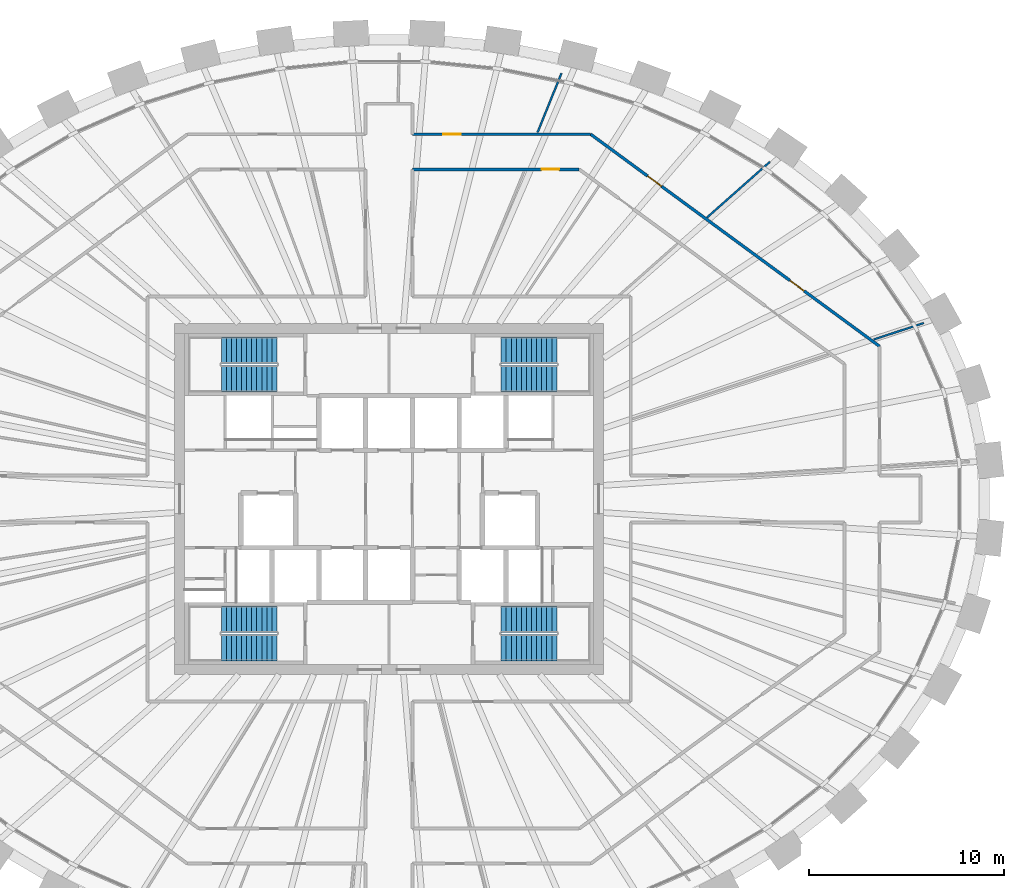
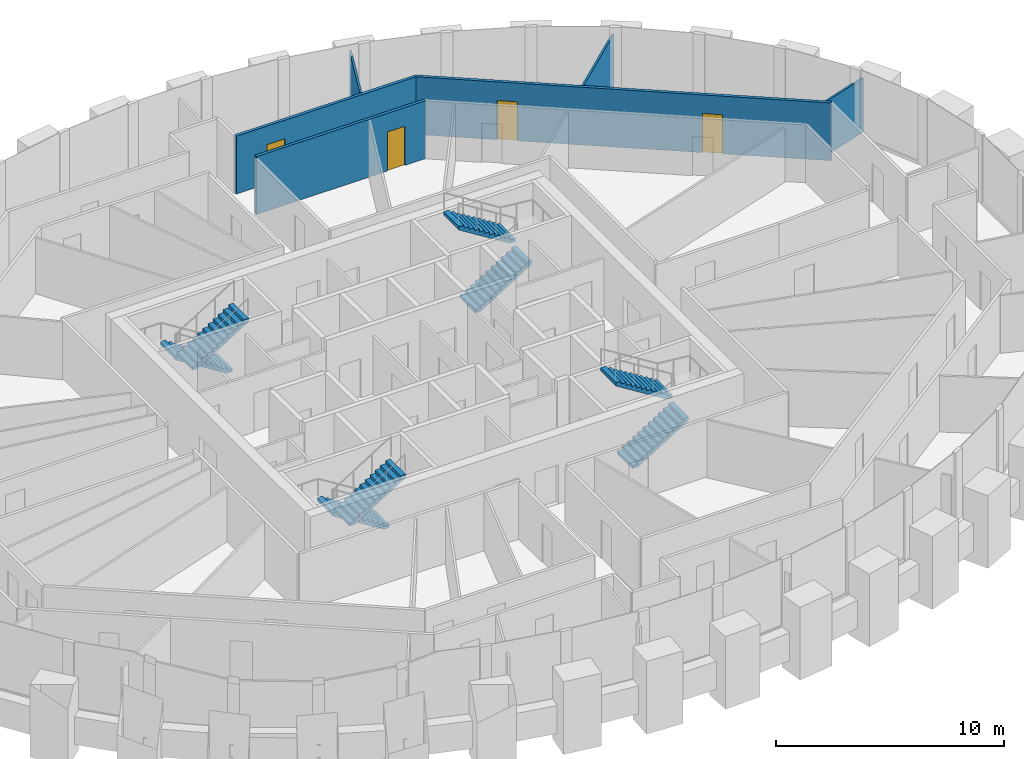
# One storey, part 11 of 12: 8 stair flights, 6 walls, 4 doors, 4 openings, 4 elements without a shape of their own.
"""IFC4 building model written with IfcOpenShell, lengths in metres."""

from ifc_helpers import new_model, si_unit, direction, frame, frame_2d, origin, place, context, subcontext, project, spatial, polyline, rectangle, outline, extrude, source, transform, mapped, material, layer, layer_set, type_object, element, fill, aggregate, save


model = new_model("IFC4")

# Units and contexts
model_context = context("Model", 3, precision=1e-05, world=origin(), true_north=direction((0.0, 1.0)))
body_context = subcontext(model_context, "Body", "Model", "MODEL_VIEW")
ifc_project = project(units=[si_unit("LENGTHUNIT", "METRE"), si_unit("AREAUNIT", "SQUARE_METRE"), si_unit("VOLUMEUNIT", "CUBIC_METRE"), si_unit("PLANEANGLEUNIT", "RADIAN"), si_unit("MASSUNIT", "GRAM", prefix="KILO")], contexts=[model_context])

# Site, building, storey
site_placement = place(None, origin())
site = spatial("IfcSite", under=ifc_project, at=site_placement, CompositionType="ELEMENT")
building_placement = place(site_placement, origin())
building = spatial("IfcBuilding", under=site, at=building_placement, Name="Embergate Tower", CompositionType="ELEMENT")
storey_placement = place(building_placement, frame((0.0, 0.0, 301.300048828125)))
storey = spatial("IfcBuildingStorey", under=building, at=storey_placement, Name="L70", CompositionType="ELEMENT", Elevation=301.300048828125)

# Walls
ifc_material_1 = material(Name="Partition dry-lined 100")
ifc_layer_1 = layer(ifc_material_1, 0.10009765625)
ifc_layer_set_1 = layer_set([ifc_layer_1], Name="Partition dry-lined 100")
wall_type_1 = type_object("IfcWallType", Name="Partition dry-lined 100", PredefinedType="PARTITIONING", material=ifc_layer_set_1)
shared_shape_1 = source(origin(), body_context, "Body", "SweptSolid", [
    extrude(rectangle(XDim=2.70654296875, YDim=0.10009765625, at=frame_2d((1.353271484375, 0.0))), origin(), (0.0, 0.0, 1.0), 2.89990234375),
])
wall_1_placement = place(storey_placement, frame((24.865966796875, 8.18310546875, 0.0), z_axis=(0.0, 0.0, 1.0), x_axis=(0.949902888469, 0.312545200697, 0.0)))
element("IfcWall", 1, at=wall_1_placement, inside=storey, type_object=wall_type_1, Name="IP-1 wall", PredefinedType="PARTITIONING", context=body_context, shape_type="MappedRepresentation", body=[
    mapped(shared_shape_1, transform((0.0, 0.0, 0.0))),
])
ifc_material_2 = material(Name="Partition dry-lined 100 wet")
ifc_layer_2 = layer(ifc_material_2, 0.10009765625)
ifc_layer_set_2 = layer_set([ifc_layer_2], Name="Partition dry-lined 100 wet")
wall_type_2 = type_object("IfcWallType", Name="Partition dry-lined 100 wet", PredefinedType="PLUMBINGWALL", material=ifc_layer_set_2)
shared_shape_2 = source(origin(), body_context, "Body", "SweptSolid", [
    extrude(rectangle(XDim=4.307861328125, YDim=0.10009765625, at=frame_2d((2.15380859375, 0.0))), origin(), (0.0, 0.0, 1.0), 3.0),
])
wall_2_placement = place(storey_placement, frame((16.31103515625, 14.44091796875, 0.0), z_axis=(0.0, 0.0, 1.0), x_axis=(0.748864579338, 0.662723050612, 0.0)))
element("IfcWall", 2, at=wall_2_placement, inside=storey, type_object=wall_type_2, Name="IP-1 wall", PredefinedType="PLUMBINGWALL", context=body_context, shape_type="MappedRepresentation", body=[
    mapped(shared_shape_2, transform((0.0, 0.0, 0.0))),
])

# Wall, openings, doors
ifc_material_3 = material(Name="Corridor wall dry-lined 150")
ifc_layer_3 = layer(ifc_material_3, 0.14990234375)
ifc_layer_set_3 = layer_set([ifc_layer_3], Name="Corridor wall dry-lined 150")
wall_type_3 = type_object("IfcWallType", Name="Corridor wall dry-lined 150", PredefinedType="PARTITIONING", material=ifc_layer_set_3)
shared_shape_3 = source(origin(), body_context, "Body", "SweptSolid", [
    extrude(rectangle(XDim=18.38427734375, YDim=0.14990234375, at=frame_2d((9.192138671875, 0.0))), origin(), (0.0, 0.0, 1.0), 3.099853515625),
])
wall_3_placement = place(storey_placement, frame((25.166015625, 7.833984375, 0.0), z_axis=(0.0, 0.0, 1.0), x_axis=(-0.80612330372, 0.591747597545, 0.0)))
wall_3 = element("IfcWall", 3, at=wall_3_placement, inside=storey, type_object=wall_type_3, Name="IP-2 wall", PredefinedType="PARTITIONING", context=body_context, shape_type="MappedRepresentation", body=[
    mapped(shared_shape_3, transform((0.0, 0.0, 0.0))),
])
shared_shape_4 = source(origin(), body_context, "Body", "SweptSolid", [
    extrude(rectangle(XDim=0.89990234375, YDim=2.10009765625, at=frame_2d((0.449951171875, 1.050048828125))), frame((0.0, 0.0849609375, 0.0), z_axis=(0.0, -1.0, 0.0), x_axis=(1.0, 0.0, 0.0)), (0.0, 0.0, 1.0), 0.169921875),
])
opening_1_placement = place(wall_3_placement, frame((4.800537109375, 0.0, 0.0)))
opening_1 = element("IfcOpeningElement", 4, at=opening_1_placement, cuts=wall_3, Name="Opening IF-1c", PredefinedType="OPENING", context=body_context, shape_type="MappedRepresentation", body=[
    mapped(shared_shape_4, transform((0.0, 0.0, 0.0))),
])
opening_2_placement = place(wall_3_placement, frame((13.86767578125, 0.0, 0.0)))
opening_2 = element("IfcOpeningElement", 5, at=opening_2_placement, cuts=wall_3, Name="Opening IF-1c", PredefinedType="OPENING", context=body_context, shape_type="MappedRepresentation", body=[
    mapped(shared_shape_4, transform((0.0, 0.0, 0.0))),
])
ifc_material_4 = material(Name="Escape fire door 900")
door_type = type_object("IfcDoorType", Name="Escape fire door 900", OperationType="SINGLE_SWING_LEFT", PredefinedType="DOOR", material=ifc_material_4)
shared_shape_5 = source(origin(), body_context, "Body", "SweptSolid", [
    extrude(rectangle(XDim=0.89990234375, YDim=2.10009765625, at=frame_2d((0.449951171875, 1.050048828125))), frame((0.0, 0.02490234375, 0.0), z_axis=(0.0, -1.0, 0.0), x_axis=(1.0, 0.0, 0.0)), (0.0, 0.0, 1.0), 0.050048828125),
])
door_1_placement = place(opening_1_placement, origin())
door_1 = element("IfcDoor", 6, at=door_1_placement, inside=storey, type_object=door_type, Name="IF-1 door", OperationType="SINGLE_SWING_RIGHT", OverallHeight=2.10009765625, OverallWidth=0.89990234375, PredefinedType="DOOR", context=body_context, shape_type="MappedRepresentation", body=[
    mapped(shared_shape_5, transform((0.0, 0.0, 0.0))),
])
fill(opening_1, door_1)
door_2_placement = place(opening_2_placement, origin())
door_2 = element("IfcDoor", 7, at=door_2_placement, inside=storey, type_object=door_type, Name="IF-1 door", OperationType="SINGLE_SWING_LEFT", OverallHeight=2.10009765625, OverallWidth=0.89990234375, PredefinedType="DOOR", context=body_context, shape_type="MappedRepresentation", body=[
    mapped(shared_shape_5, transform((0.0, 0.0, 0.0))),
])
fill(opening_2, door_2)

# Wall, opening, door
ifc_material_5 = material(Name="Corridor wall dry-lined 150 wet")
ifc_layer_4 = layer(ifc_material_5, 0.14990234375)
ifc_layer_set_4 = layer_set([ifc_layer_4], Name="Corridor wall dry-lined 150 wet")
wall_type_4 = type_object("IfcWallType", Name="Corridor wall dry-lined 150 wet", PredefinedType="PLUMBINGWALL", material=ifc_layer_set_4)
shared_shape_6 = source(origin(), body_context, "Body", "SweptSolid", [
    extrude(rectangle(XDim=9.14599609375, YDim=0.14990234375, at=frame_2d((4.572998046875, 0.0))), origin(), (0.0, 0.0, 1.0), 3.099853515625),
])
wall_4_placement = place(storey_placement, frame((1.199951171875, 18.712890625, 0.0), z_axis=(0.0, 0.0, 1.0), x_axis=(1.0, 0.0, 0.0)))
wall_4 = element("IfcWall", 8, at=wall_4_placement, inside=storey, type_object=wall_type_4, Name="IP-2 wall", PredefinedType="PLUMBINGWALL", context=body_context, shape_type="MappedRepresentation", body=[
    mapped(shared_shape_6, transform((0.0, 0.0, 0.0))),
])
opening_3_placement = place(wall_4_placement, frame((1.569091796875, 0.0, 0.0)))
opening_3 = element("IfcOpeningElement", 9, at=opening_3_placement, cuts=wall_4, Name="Opening IF-1c", PredefinedType="OPENING", context=body_context, shape_type="MappedRepresentation", body=[
    mapped(shared_shape_4, transform((0.0, 0.0, 0.0))),
])
door_3_placement = place(opening_3_placement, origin())
door_3 = element("IfcDoor", 10, at=door_3_placement, inside=storey, type_object=door_type, Name="IF-1 door", OperationType="SINGLE_SWING_LEFT", OverallHeight=2.10009765625, OverallWidth=0.89990234375, PredefinedType="DOOR", context=body_context, shape_type="MappedRepresentation", body=[
    mapped(shared_shape_5, transform((0.0, 0.0, 0.0))),
])
fill(opening_3, door_3)

shared_shape_7 = source(origin(), body_context, "Body", "SweptSolid", [
    extrude(rectangle(XDim=8.55615234375, YDim=0.14990234375, at=frame_2d((4.278076171875, 0.0))), origin(), (0.0, 0.0, 1.0), 3.099853515625),
])
wall_5_placement = place(storey_placement, frame((1.199951171875, 16.9130859375, 0.0), z_axis=(0.0, 0.0, 1.0), x_axis=(1.0, 0.0, 0.0)))
wall_5 = element("IfcWall", 11, at=wall_5_placement, inside=storey, type_object=wall_type_4, Name="IP-2 wall", PredefinedType="PLUMBINGWALL", context=body_context, shape_type="MappedRepresentation", body=[
    mapped(shared_shape_7, transform((0.0, 0.0, 0.0))),
])
opening_4_placement = place(wall_5_placement, frame((6.632080078125, 0.0, 0.0)))
opening_4 = element("IfcOpeningElement", 12, at=opening_4_placement, cuts=wall_5, Name="Opening IF-1c", PredefinedType="OPENING", context=body_context, shape_type="MappedRepresentation", body=[
    mapped(shared_shape_4, transform((0.0, 0.0, 0.0))),
])
door_4_placement = place(opening_4_placement, origin())
door_4 = element("IfcDoor", 13, at=door_4_placement, inside=storey, type_object=door_type, Name="IF-1 door", OperationType="SINGLE_SWING_RIGHT", OverallHeight=2.10009765625, OverallWidth=0.89990234375, PredefinedType="DOOR", context=body_context, shape_type="MappedRepresentation", body=[
    mapped(shared_shape_5, transform((0.0, 0.0, 0.0))),
])
fill(opening_4, door_4)

# Wall
shared_shape_8 = source(origin(), body_context, "Body", "SweptSolid", [
    extrude(rectangle(XDim=3.27978515625, YDim=0.10009765625, at=frame_2d((1.639892578125, 0.0))), origin(), (0.0, 0.0, 1.0), 3.099853515625),
])
wall_6_placement = place(storey_placement, frame((7.616943359375, 18.806884765625, 0.0), z_axis=(0.0, 0.0, 1.0), x_axis=(0.375314581317, 0.92689749436, 0.0)))
element("IfcWall", 14, at=wall_6_placement, inside=storey, type_object=wall_type_2, Name="IP-1 wall", PredefinedType="PLUMBINGWALL", context=body_context, shape_type="MappedRepresentation", body=[
    mapped(shared_shape_8, transform((0.0, 0.0, 0.0))),
])

# Stair, stair flights
ifc_material_6 = material(Name="Exit stair")
stair_type = type_object("IfcStairType", Name="Exit stair", PredefinedType="HALF_TURN_STAIR", material=ifc_material_6)
stair_1_placement = place(storey_placement, origin())
stair_1 = element("IfcStair", 15, at=stair_1_placement, inside=storey, type_object=stair_type, Name="L70 Exit stair 1", PredefinedType="HALF_TURN_STAIR")
ifc_material_7 = material(Name="Concrete C40", Category="concrete")
stair_flight_type = type_object("IfcStairFlightType", Name="Stair flight reinforced concrete", PredefinedType="STRAIGHT", material=ifc_material_7)
shared_shape_9 = source(origin(), body_context, "Body", "SweptSolid", [
    extrude(outline(polyline([(0.0, 0.0), (0.0, 0.16259765625), (0.260009765625, 0.16259765625), (0.260009765625, 0.324951171875), (0.52001953125, 0.324951171875), (0.52001953125, 0.487548828125), (0.780029296875, 0.487548828125), (0.780029296875, 0.64990234375), (1.0400390625, 0.64990234375), (1.0400390625, 0.8125), (1.300048828125, 0.8125), (1.300048828125, 0.97509765625), (1.56005859375, 0.97509765625), (1.56005859375, 1.137451171875), (1.820068359375, 1.137451171875), (1.820068359375, 1.300048828125), (2.080078125, 1.300048828125), (2.080078125, 1.46240234375), (2.340087890625, 1.46240234375), (2.340087890625, 1.625), (2.60009765625, 1.625), (2.60009765625, 1.78759765625), (2.860107421875, 1.78759765625), (2.860107421875, 1.949951171875), (2.860107421875, 1.61083984375), (0.28271484375, 0.0), (0.0, 0.0)])), frame((0.0, 0.675048828125, 0.0), z_axis=(0.0, -1.0, 0.0), x_axis=(1.0, 0.0, 0.0)), (0.0, 0.0, 1.0), 1.35009765625),
])
stair_flight_1_placement = place(storey_placement, frame((-5.75, 7.625, 0.0), z_axis=(0.0, 0.0, 1.0), x_axis=(-1.0, 0.0, 0.0)))
stair_flight_1 = element("IfcStairFlight", 16, at=stair_flight_1_placement, type_object=stair_flight_type, Name="ST1 flight 1", NumberOfRisers=12, NumberOfTreads=11, PredefinedType="STRAIGHT", RiserHeight=0.1625, TreadLength=0.26, context=body_context, shape_type="MappedRepresentation", body=[
    mapped(shared_shape_9, transform((0.0, 0.0, 0.0))),
])
stair_flight_2_placement = place(storey_placement, frame((-8.610107421875, 6.175048828125, 1.949951171875), z_axis=(0.0, 0.0, 1.0), x_axis=(1.0, 0.0, 0.0)))
stair_flight_2 = element("IfcStairFlight", 17, at=stair_flight_2_placement, type_object=stair_flight_type, Name="ST1 flight 2", NumberOfRisers=12, NumberOfTreads=11, PredefinedType="STRAIGHT", RiserHeight=0.1625, TreadLength=0.26, context=body_context, shape_type="MappedRepresentation", body=[
    mapped(shared_shape_9, transform((0.0, 0.0, 0.0))),
])
aggregate(stair_1, [stair_flight_1, stair_flight_2])

stair_2_placement = place(storey_placement, origin())
stair_2 = element("IfcStair", 18, at=stair_2_placement, inside=storey, type_object=stair_type, Name="L70 Exit stair 2", PredefinedType="HALF_TURN_STAIR")
stair_flight_3_placement = place(storey_placement, frame((5.75, 6.175048828125, 0.0), z_axis=(0.0, 0.0, 1.0), x_axis=(1.0, 0.0, 0.0)))
stair_flight_3 = element("IfcStairFlight", 19, at=stair_flight_3_placement, type_object=stair_flight_type, Name="ST2 flight 1", NumberOfRisers=12, NumberOfTreads=11, PredefinedType="STRAIGHT", RiserHeight=0.1625, TreadLength=0.26, context=body_context, shape_type="MappedRepresentation", body=[
    mapped(shared_shape_9, transform((0.0, 0.0, 0.0))),
])
stair_flight_4_placement = place(storey_placement, frame((8.610107421875, 7.625, 1.949951171875), z_axis=(0.0, 0.0, 1.0), x_axis=(-1.0, 0.0, 0.0)))
stair_flight_4 = element("IfcStairFlight", 20, at=stair_flight_4_placement, type_object=stair_flight_type, Name="ST2 flight 2", NumberOfRisers=12, NumberOfTreads=11, PredefinedType="STRAIGHT", RiserHeight=0.1625, TreadLength=0.26, context=body_context, shape_type="MappedRepresentation", body=[
    mapped(shared_shape_9, transform((0.0, 0.0, 0.0))),
])
aggregate(stair_2, [stair_flight_3, stair_flight_4])

stair_3_placement = place(storey_placement, origin())
stair_3 = element("IfcStair", 21, at=stair_3_placement, inside=storey, type_object=stair_type, Name="L70 Exit stair 3", PredefinedType="HALF_TURN_STAIR")
stair_flight_5_placement = place(storey_placement, frame((-5.75, -6.175048828125, 0.0), z_axis=(0.0, 0.0, 1.0), x_axis=(-1.0, 0.0, 0.0)))
stair_flight_5 = element("IfcStairFlight", 22, at=stair_flight_5_placement, type_object=stair_flight_type, Name="ST3 flight 1", NumberOfRisers=12, NumberOfTreads=11, PredefinedType="STRAIGHT", RiserHeight=0.1625, TreadLength=0.26, context=body_context, shape_type="MappedRepresentation", body=[
    mapped(shared_shape_9, transform((0.0, 0.0, 0.0))),
])
stair_flight_6_placement = place(storey_placement, frame((-8.610107421875, -7.625, 1.949951171875), z_axis=(0.0, 0.0, 1.0), x_axis=(1.0, 0.0, 0.0)))
stair_flight_6 = element("IfcStairFlight", 23, at=stair_flight_6_placement, type_object=stair_flight_type, Name="ST3 flight 2", NumberOfRisers=12, NumberOfTreads=11, PredefinedType="STRAIGHT", RiserHeight=0.1625, TreadLength=0.26, context=body_context, shape_type="MappedRepresentation", body=[
    mapped(shared_shape_9, transform((0.0, 0.0, 0.0))),
])
aggregate(stair_3, [stair_flight_5, stair_flight_6])

stair_4_placement = place(storey_placement, origin())
stair_4 = element("IfcStair", 24, at=stair_4_placement, inside=storey, type_object=stair_type, Name="L70 Exit stair 4", PredefinedType="HALF_TURN_STAIR")
stair_flight_7_placement = place(storey_placement, frame((5.75, -7.625, 0.0), z_axis=(0.0, 0.0, 1.0), x_axis=(1.0, 0.0, 0.0)))
stair_flight_7 = element("IfcStairFlight", 25, at=stair_flight_7_placement, type_object=stair_flight_type, Name="ST4 flight 1", NumberOfRisers=12, NumberOfTreads=11, PredefinedType="STRAIGHT", RiserHeight=0.1625, TreadLength=0.26, context=body_context, shape_type="MappedRepresentation", body=[
    mapped(shared_shape_9, transform((0.0, 0.0, 0.0))),
])
stair_flight_8_placement = place(storey_placement, frame((8.610107421875, -6.175048828125, 1.949951171875), z_axis=(0.0, 0.0, 1.0), x_axis=(-1.0, 0.0, 0.0)))
stair_flight_8 = element("IfcStairFlight", 26, at=stair_flight_8_placement, type_object=stair_flight_type, Name="ST4 flight 2", NumberOfRisers=12, NumberOfTreads=11, PredefinedType="STRAIGHT", RiserHeight=0.1625, TreadLength=0.26, context=body_context, shape_type="MappedRepresentation", body=[
    mapped(shared_shape_9, transform((0.0, 0.0, 0.0))),
])
aggregate(stair_4, [stair_flight_7, stair_flight_8])

save(model, "model.ifc")
